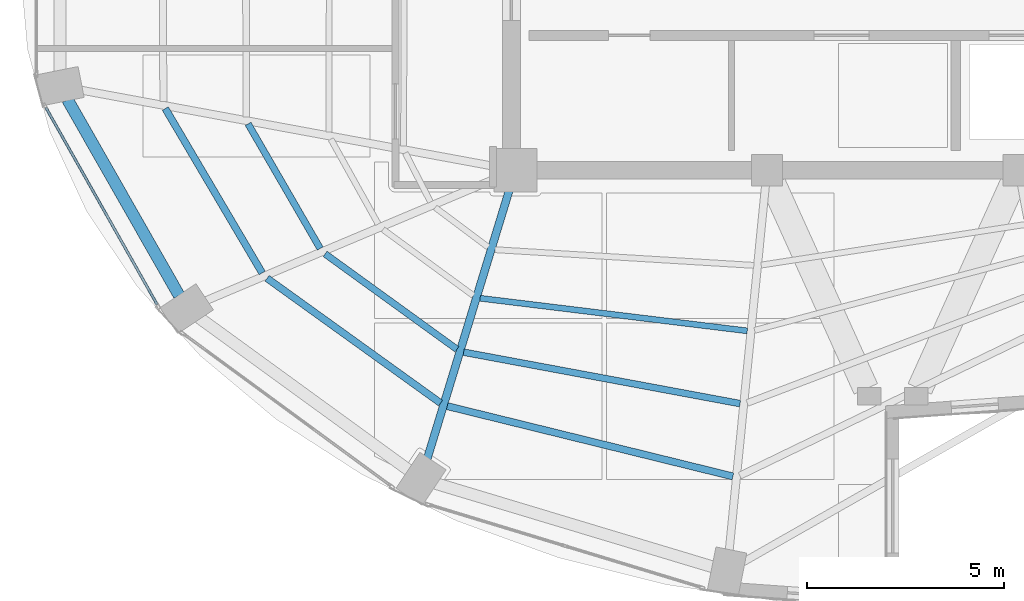
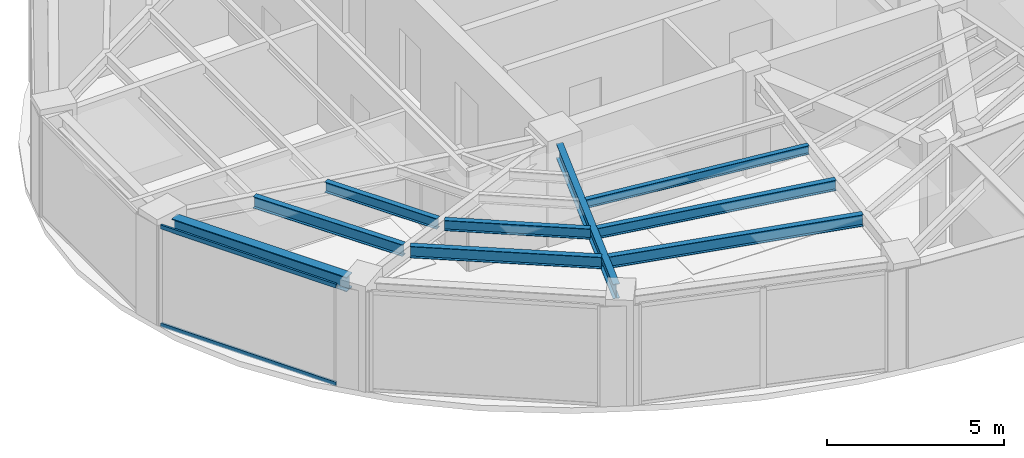
# One storey, part 3 of 23: 9 beams, 2 members, 1 element without a shape of its own.
"""IFC4 building model written with IfcOpenShell, lengths in metres."""

import ifcopenshell
import ifcopenshell.guid

model = None  # the IFC model being written
_history = None  # IfcOwnerHistory: only IFC2X3 demands one
_inside = {}  # id of a spatial element -> (the spatial element, [elements in it])
_under = {}  # id of a project, library or spatial element -> (it, [spatial elements below it])
_declared = {}  # id of a project -> (the project, [libraries it declares])
_typed = {}  # id of a type object -> (the type object, [elements of that type])
_made_of = {}  # id of a material, layer set ... -> (it, [elements and type objects made of it])


def new_model(schema):
    """Start an empty IFC model of exactly this schema.

    Asked for "IFC4X3", IfcOpenShell would pick the latest addendum, in which some entities
    have other attributes; the version numbers below select the first issue.
    IFC2X3 requires an IfcOwnerHistory on every rooted entity: one is made here for all.
    """
    global model, _history
    if schema == "IFC4X3":
        model = ifcopenshell.file(schema_version=(4, 3, 0, 0))
    else:
        model = ifcopenshell.file(schema=schema)
    _inside.clear()
    _under.clear()
    _declared.clear()
    _typed.clear()
    _made_of.clear()
    _history = None
    if model.schema == "IFC2X3":
        org = make("IfcOrganization", Name="unknown")
        user = make(
            "IfcPersonAndOrganization",
            ThePerson=make("IfcPerson", FamilyName="unknown"),
            TheOrganization=org,
        )
        app = make(
            "IfcApplication",
            ApplicationDeveloper=org,
            Version="unknown",
            ApplicationFullName="unknown",
            ApplicationIdentifier="unknown",
        )
        _history = make(
            "IfcOwnerHistory",
            OwningUser=user,
            OwningApplication=app,
            ChangeAction="ADDED",
            CreationDate=0,
        )
    return model


def make(cls, **values):
    """One entity of the class cls with the attributes given. An attribute that is None is left unset."""
    return model.create_entity(
        cls, **{name: value for name, value in values.items() if value is not None}
    )


def rooted(cls, **values):
    """An entity with a GlobalId (a new one), such as an element, a storey or a relation."""
    return make(cls, GlobalId=ifcopenshell.guid.new(), OwnerHistory=_history, **values)


def si_unit(unit_type, name, prefix=None):
    """IfcSIUnit, for example si_unit("LENGTHUNIT", "METRE", prefix="MILLI")."""
    return make("IfcSIUnit", UnitType=unit_type, Prefix=prefix, Name=name)


def assignment(units):
    """IfcUnitAssignment: the units of a project."""
    return None if units is None else make("IfcUnitAssignment", Units=units)


def point(xyz):
    """IfcCartesianPoint."""
    return None if xyz is None else make("IfcCartesianPoint", Coordinates=xyz)


def direction(xyz):
    """IfcDirection."""
    return None if xyz is None else make("IfcDirection", DirectionRatios=xyz)


def frame(location, z_axis=None, x_axis=None):
    """IfcAxis2Placement3D, a coordinate frame: its origin and axes. An axis left out is left unset."""
    return make(
        "IfcAxis2Placement3D",
        Location=point(location),
        Axis=direction(z_axis),
        RefDirection=direction(x_axis),
    )


def frame_2d(location, x_axis=None):
    """IfcAxis2Placement2D, a coordinate frame in the plane: its origin and x axis."""
    return make(
        "IfcAxis2Placement2D", Location=point(location), RefDirection=direction(x_axis)
    )


def origin():
    """The frame at (0, 0, 0) with its axes left unset."""
    return frame((0.0, 0.0, 0.0))


def origin_2d():
    """The frame at (0, 0) in the plane with its x axis left unset."""
    return frame_2d((0.0, 0.0))


def place(relative_to, where):
    """IfcLocalPlacement: puts the frame where relative to a parent placement (None: the world)."""
    return make(
        "IfcLocalPlacement", PlacementRelTo=relative_to, RelativePlacement=where
    )


def context(
    kind, dimensions, precision=None, world=None, true_north=None, identifier=None
):
    """IfcGeometricRepresentationContext, for example the 3D "Model" context."""
    return make(
        "IfcGeometricRepresentationContext",
        ContextIdentifier=identifier,
        ContextType=kind,
        CoordinateSpaceDimension=dimensions,
        Precision=precision,
        WorldCoordinateSystem=world,
        TrueNorth=true_north,
    )


def subcontext(parent, identifier, kind, view, scale=None):
    """IfcGeometricRepresentationSubContext, for example "Body" below "Model"."""
    return make(
        "IfcGeometricRepresentationSubContext",
        ContextIdentifier=identifier,
        ContextType=kind,
        ParentContext=parent,
        TargetScale=scale,
        TargetView=view,
    )


def project(units=None, contexts=None):
    """IfcProject with its units and contexts."""
    return rooted(
        "IfcProject",
        Name="project",
        RepresentationContexts=contexts,
        UnitsInContext=assignment(units),
    )


def spatial(cls, under=None, at=None, **own):
    """A site, building, storey or space (cls), placed at a placement, below another one or the project."""
    s = rooted(cls, ObjectPlacement=at, **own)
    if under is not None:
        _under.setdefault(under.id(), (under, []))[1].append(s)
    return s


def profile(cls, at=None, kind="AREA", **sizes):
    """A parametric profile (cls). Its sizes go by their IFC names, for example OverallWidth=200.0."""
    return make(cls, ProfileType=kind, Position=at, **sizes)


def hollow_rectangle(**sizes):
    """IfcRectangleHollowProfileDef."""
    return profile("IfcRectangleHollowProfileDef", **sizes)


def i_section(**sizes):
    """IfcIShapeProfileDef."""
    return profile("IfcIShapeProfileDef", **sizes)


def extrude(swept, where, along, depth):
    """IfcExtrudedAreaSolid: the profile swept, set in the frame where, extruded along a direction by depth."""
    return make(
        "IfcExtrudedAreaSolid",
        SweptArea=swept,
        Position=where,
        ExtrudedDirection=direction(along),
        Depth=depth,
    )


def shape(context_of_items, identifier, shape_type, items):
    """IfcShapeRepresentation: the items that make up one representation, for example the "Body"."""
    return make(
        "IfcShapeRepresentation",
        ContextOfItems=context_of_items,
        RepresentationIdentifier=identifier,
        RepresentationType=shape_type,
        Items=items,
    )


def material(Name=None, Category=None):
    """IfcMaterial."""
    return make("IfcMaterial", Name=Name, Category=Category)


def layer(
    of_material, thickness, ventilated=None, Name=None, Category=None, Priority=None
):
    """IfcMaterialLayer: one layer of a wall or slab, of a material (None: an air gap)."""
    return make(
        "IfcMaterialLayer",
        Material=of_material,
        LayerThickness=thickness,
        IsVentilated=ventilated,
        Name=Name,
        Category=Category,
        Priority=Priority,
    )


def layer_set(layers, Name=None):
    """IfcMaterialLayerSet."""
    return make("IfcMaterialLayerSet", MaterialLayers=layers, LayerSetName=Name)


def material_profile(
    of_material, cross_section, Name=None, Category=None, Priority=None
):
    """IfcMaterialProfile: a cross section and its material."""
    return make(
        "IfcMaterialProfile",
        Name=Name,
        Material=of_material,
        Profile=cross_section,
        Priority=Priority,
        Category=Category,
    )


def profile_set(profiles, Name=None, composite=None):
    """IfcMaterialProfileSet."""
    return make(
        "IfcMaterialProfileSet",
        Name=Name,
        MaterialProfiles=profiles,
        CompositeProfile=composite,
    )


def made_of(thing, what):
    """Note that an element or type object is made of a material, layer set ...; save() writes the relation."""
    if what is not None:
        _made_of.setdefault(what.id(), (what, []))[1].append(thing)
    return thing


def type_object(cls, material=None, **own):
    """A type object (cls), such as IfcWallType, which elements share."""
    return made_of(rooted(cls, **own), material)


def element(
    cls,
    number,
    at=None,
    inside=None,
    cuts=None,
    type_object=None,
    material=None,
    context=None,
    identifier="Body",
    shape_type=None,
    held_by="IfcProductDefinitionShape",
    body=None,
    shapes=None,
    **own,
):
    """One element of the class cls, such as IfcWall. Its Tag is "e" and its number.

    at: its placement. inside: the storey or other place that contains it. cuts: it is an
    opening in that element (IfcRelVoidsElement). A single representation is given by context,
    identifier, shape_type and body (its items); several are given by shapes. held_by: the class
    of the entity that holds the representations. save() writes the other relations.
    """
    e = rooted(cls, Tag="e%d" % number, ObjectPlacement=at, **own)
    if body is not None:
        shapes = [shape(context, identifier, shape_type, body)]
    if shapes is not None:
        e.Representation = make(held_by, Representations=shapes)
    if inside is not None:
        _inside.setdefault(inside.id(), (inside, []))[1].append(e)
    if cuts is not None:
        rooted(
            "IfcRelVoidsElement", RelatingBuildingElement=cuts, RelatedOpeningElement=e
        )
    if type_object is not None:
        _typed.setdefault(type_object.id(), (type_object, []))[1].append(e)
    return made_of(e, material)


def aggregate(whole, parts):
    """IfcRelAggregates: a whole, such as a stair, and the parts it consists of."""
    return rooted("IfcRelAggregates", RelatingObject=whole, RelatedObjects=parts)


def save(model, path):
    """Write the relations noted so far, then the file.

    IfcRelAggregates (storeys below a building ...), IfcRelContainedInSpatialStructure (elements
    in a storey), IfcRelDefinesByType, IfcRelAssociatesMaterial and IfcRelDeclares: one each for
    every whole, place, type object, material and project.
    """
    for whole, parts in _under.values():
        aggregate(whole, parts)
    for where, things in _inside.values():
        rooted(
            "IfcRelContainedInSpatialStructure",
            RelatedElements=things,
            RelatingStructure=where,
        )
    for kind, things in _typed.values():
        rooted("IfcRelDefinesByType", RelatedObjects=things, RelatingType=kind)
    for what, things in _made_of.values():
        rooted("IfcRelAssociatesMaterial", RelatedObjects=things, RelatingMaterial=what)
    for by, libraries in _declared.values():
        rooted("IfcRelDeclares", RelatingContext=by, RelatedDefinitions=libraries)
    model.write(path)


model = new_model("IFC4")

# Units and contexts
model_context = context("Model", 3, precision=1e-05, world=origin(), true_north=direction((0.0, 1.0)))
body_context = subcontext(model_context, "Body", "Model", "MODEL_VIEW")
ifc_project = project(units=[si_unit("LENGTHUNIT", "METRE"), si_unit("AREAUNIT", "SQUARE_METRE"), si_unit("VOLUMEUNIT", "CUBIC_METRE"), si_unit("PLANEANGLEUNIT", "RADIAN"), si_unit("MASSUNIT", "GRAM", prefix="KILO")], contexts=[model_context])

# Site, building, storey
site_placement = place(None, origin())
site = spatial("IfcSite", under=ifc_project, at=site_placement, CompositionType="ELEMENT")
building_placement = place(site_placement, origin())
building = spatial("IfcBuilding", under=site, at=building_placement, Name="Lazwardi Medical Tower", CompositionType="ELEMENT")
storey_placement = place(building_placement, frame((0.0, 0.0, 231.31201171875)))
storey = spatial("IfcBuildingStorey", under=building, at=storey_placement, Name="L60", CompositionType="ELEMENT", Elevation=231.31201171875)

# Beams
ifc_material_1 = material(Name="Steel S355", Category="steel")
ifc_material_profile_1 = material_profile(ifc_material_1, i_section(OverallWidth=0.300048828125, OverallDepth=0.5, WebThickness=0.014404296875, FlangeThickness=0.028076171875, at=origin_2d()), Name="HEB 500")
ifc_profile_set_1 = profile_set([ifc_material_profile_1], Name="Steel S355")
beam_type_1 = type_object("IfcBeamType", Name="BM-RB-Z4", PredefinedType="BEAM", material=ifc_profile_set_1)
beam_1_placement = place(storey_placement, frame((15.008056640625, 22.1982421875, 3.197998046875), z_axis=(0.495125273299, -0.868821594886, 0.0), x_axis=(0.868821594886, 0.495125273299, 0.0)))
element("IfcBeam", 1, at=beam_1_placement, inside=storey, type_object=beam_type_1, Name="Ring beam RB-05 B13 L60", PredefinedType="BEAM", context=body_context, shape_type="SweptSolid", body=[
    extrude(i_section(OverallWidth=0.300048828125, OverallDepth=0.5, WebThickness=0.014404296875, FlangeThickness=0.028076171875, at=origin_2d()), origin(), (0.0, 0.0, 1.0), 5.734130859375),
])
ifc_material_profile_2 = material_profile(ifc_material_1, i_section(OverallWidth=0.199951171875, OverallDepth=0.5, WebThickness=0.01025390625, FlangeThickness=0.01611328125, at=origin_2d()), Name="IPE 500")
ifc_profile_set_2 = profile_set([ifc_material_profile_2], Name="Steel S355")
beam_type_2 = type_object("IfcBeamType", Name="BM-RG-W3", PredefinedType="BEAM", material=ifc_profile_set_2)
beam_2_placement = place(storey_placement, frame((24.156005859375, 13.0576171875, 3.197998046875), z_axis=(0.292276716539, 0.956333791607, 0.0), x_axis=(-0.956333791607, 0.292276716539, 0.0)))
element("IfcBeam", 2, at=beam_2_placement, inside=storey, type_object=beam_type_2, Name="Radial girder RG-04 R15 L60", PredefinedType="BEAM", context=body_context, shape_type="SweptSolid", body=[
    extrude(i_section(OverallWidth=0.199951171875, OverallDepth=0.5, WebThickness=0.01025390625, FlangeThickness=0.01611328125, at=origin_2d()), origin(), (0.0, 0.0, 1.0), 7.142822265625),
])
ifc_material_profile_3 = material_profile(ifc_material_1, i_section(OverallWidth=0.179931640625, OverallDepth=0.39990234375, WebThickness=0.008544921875, FlangeThickness=0.013427734375, at=origin_2d()), Name="IPE 400")
ifc_profile_set_3 = profile_set([ifc_material_profile_3], Name="Steel S355")
beam_type_3 = type_object("IfcBeamType", Name="BM-SJ-01", PredefinedType="JOIST", material=ifc_profile_set_3)
beam_3_placement = place(storey_placement, frame((17.495849609375, 21.969482421875, 3.248046875), z_axis=(0.507710311367, -0.861527851977, 0.0), x_axis=(0.861527851977, 0.507710311367, 0.0)))
element("IfcBeam", 3, at=beam_3_placement, inside=storey, type_object=beam_type_3, Name="Secondary joist SJ-01 R1 B13 L60", PredefinedType="JOIST", context=body_context, shape_type="SweptSolid", body=[
    extrude(i_section(OverallWidth=0.179931640625, OverallDepth=0.39990234375, WebThickness=0.008544921875, FlangeThickness=0.013427734375, at=origin_2d()), origin(), (0.0, 0.0, 1.0), 4.852783203125),
])
beam_4_placement = place(storey_placement, frame((20.085205078125, 17.651123046875, 3.248046875), z_axis=(0.811889581337, -0.58381102055, 0.0), x_axis=(0.58381102055, 0.811889581337, 0.0)))
element("IfcBeam", 4, at=beam_4_placement, inside=storey, type_object=beam_type_3, Name="Secondary joist SJ-01 R1 B14 L60", PredefinedType="JOIST", context=body_context, shape_type="SweptSolid", body=[
    extrude(i_section(OverallWidth=0.179931640625, OverallDepth=0.39990234375, WebThickness=0.008544921875, FlangeThickness=0.013427734375, at=origin_2d()), origin(), (0.0, 0.0, 1.0), 5.433349609375),
])
beam_5_placement = place(storey_placement, frame((24.665771484375, 14.40087890625, 3.248046875), z_axis=(0.971041669317, -0.238910184904, 0.0), x_axis=(0.238910184904, 0.971041669317, 0.0)))
element("IfcBeam", 5, at=beam_5_placement, inside=storey, type_object=beam_type_3, Name="Secondary joist SJ-01 R1 B15 L60", PredefinedType="JOIST", context=body_context, shape_type="SweptSolid", body=[
    extrude(i_section(OverallWidth=0.179931640625, OverallDepth=0.39990234375, WebThickness=0.008544921875, FlangeThickness=0.013427734375, at=origin_2d()), origin(), (0.0, 0.0, 1.0), 7.482421875),
])
ifc_material_profile_4 = material_profile(ifc_material_1, i_section(OverallWidth=0.169921875, OverallDepth=0.360107421875, WebThickness=0.008056640625, FlangeThickness=0.0126953125, at=origin_2d()), Name="IPE 360")
ifc_profile_set_4 = profile_set([ifc_material_profile_4], Name="Steel S355")
beam_type_4 = type_object("IfcBeamType", Name="BM-SJ-02", PredefinedType="JOIST", material=ifc_profile_set_4)
beam_6_placement = place(storey_placement, frame((19.601806640625, 21.58056640625, 3.26806640625), z_axis=(0.500655179543, -0.865646805109, 0.0), x_axis=(0.865646805109, 0.500655179543, 0.0)))
element("IfcBeam", 6, at=beam_6_placement, inside=storey, type_object=beam_type_4, Name="Secondary joist SJ-02 R2 B13 L60", PredefinedType="JOIST", context=body_context, shape_type="SweptSolid", body=[
    extrude(i_section(OverallWidth=0.169921875, OverallDepth=0.360107421875, WebThickness=0.008056640625, FlangeThickness=0.0126953125, at=origin_2d()), origin(), (0.0, 0.0, 1.0), 3.662109375),
])
beam_7_placement = place(storey_placement, frame((21.559814453125, 18.2724609375, 3.26806640625), z_axis=(0.810164229155, -0.586202969796, 0.0), x_axis=(0.586202969796, 0.810164229155, 0.0)))
element("IfcBeam", 7, at=beam_7_placement, inside=storey, type_object=beam_type_4, Name="Secondary joist SJ-02 R2 B14 L60", PredefinedType="JOIST", context=body_context, shape_type="SweptSolid", body=[
    extrude(i_section(OverallWidth=0.169921875, OverallDepth=0.360107421875, WebThickness=0.008056640625, FlangeThickness=0.0126953125, at=origin_2d()), origin(), (0.0, 0.0, 1.0), 4.14013671875),
])
beam_8_placement = place(storey_placement, frame((25.08447265625, 15.7724609375, 3.26806640625), z_axis=(0.983132476587, -0.182894870019, 0.0), x_axis=(0.182894870019, 0.983132476587, 0.0)))
element("IfcBeam", 8, at=beam_8_placement, inside=storey, type_object=beam_type_4, Name="Secondary joist SJ-02 R2 B15 L60", PredefinedType="JOIST", context=body_context, shape_type="SweptSolid", body=[
    extrude(i_section(OverallWidth=0.169921875, OverallDepth=0.360107421875, WebThickness=0.008056640625, FlangeThickness=0.0126953125, at=origin_2d()), origin(), (0.0, 0.0, 1.0), 7.15087890625),
])
ifc_material_profile_5 = material_profile(ifc_material_1, i_section(OverallWidth=0.14990234375, OverallDepth=0.300048828125, WebThickness=0.007080078125, FlangeThickness=0.0107421875, at=origin_2d()), Name="IPE 300")
ifc_profile_set_5 = profile_set([ifc_material_profile_5], Name="Steel S355")
beam_type_5 = type_object("IfcBeamType", Name="BM-SJ-03", PredefinedType="JOIST", material=ifc_profile_set_5)
beam_9_placement = place(storey_placement, frame((25.5029296875, 17.14453125, 3.298095703125), z_axis=(0.992634689535, -0.121146081783, 0.0), x_axis=(0.121146081783, 0.992634689535, 0.0)))
element("IfcBeam", 9, at=beam_9_placement, inside=storey, type_object=beam_type_5, Name="Secondary joist SJ-03 R3 B15 L60", PredefinedType="JOIST", context=body_context, shape_type="SweptSolid", body=[
    extrude(i_section(OverallWidth=0.14990234375, OverallDepth=0.300048828125, WebThickness=0.007080078125, FlangeThickness=0.0107421875, at=origin_2d()), origin(), (0.0, 0.0, 1.0), 6.845947265625),
])

# Curtain wall, members
ifc_material_2 = material(Name="Anodised bronze aluminium and solar control glazing", Category="aluminium")
ifc_layer = layer(ifc_material_2, 0.18994140625)
ifc_layer_set = layer_set([ifc_layer], Name="Anodised bronze aluminium and solar control glazing")
curtain_wall_type = type_object("IfcCurtainWallType", Name="CW-SYS-04", PredefinedType="NOTDEFINED", material=ifc_layer_set)
curtain_wall_placement = place(storey_placement, origin())
curtain_wall = element("IfcCurtainWall", 10, at=curtain_wall_placement, inside=storey, type_object=curtain_wall_type, Name="L60 Unitised bronze curtain wall CW-04", PredefinedType="NOTDEFINED")
ifc_material_3 = material(Name="Anodised bronze aluminium", Category="aluminium")
ifc_material_profile_6 = material_profile(ifc_material_3, hollow_rectangle(XDim=0.06494140625, YDim=0.139892578125, WallThickness=0.00341796875, at=origin_2d()), Name="ALU-TRANSOM 140x65x3.5")
ifc_profile_set_6 = profile_set([ifc_material_profile_6], Name="Anodised bronze aluminium")
member_type = type_object("IfcMemberType", Name="CW-TRN-03", PredefinedType="USERDEFINED", material=ifc_profile_set_6)
member_1_placement = place(storey_placement, frame((14.458740234375, 21.993408203125, 0.032470703125), z_axis=(0.491897887635, -0.870652897623, 0.0), x_axis=(0.870652897623, 0.491897887635, 0.0)))
member_1 = element("IfcMember", 11, at=member_1_placement, type_object=member_type, Name="CW-04 transom 1.1", ObjectType="TRANSOM", PredefinedType="USERDEFINED", context=body_context, shape_type="SweptSolid", body=[
    extrude(hollow_rectangle(XDim=0.06494140625, YDim=0.139892578125, WallThickness=0.00341796875, at=origin_2d()), origin(), (0.0, 0.0, 1.0), 5.7548828125),
])
member_2_placement = place(storey_placement, frame((14.458740234375, 21.993408203125, 3.41552734375), z_axis=(0.491897887635, -0.870652897623, 0.0), x_axis=(0.870652897623, 0.491897887635, 0.0)))
member_2 = element("IfcMember", 12, at=member_2_placement, type_object=member_type, Name="CW-04 transom 1.2", ObjectType="TRANSOM", PredefinedType="USERDEFINED", context=body_context, shape_type="SweptSolid", body=[
    extrude(hollow_rectangle(XDim=0.06494140625, YDim=0.139892578125, WallThickness=0.00341796875, at=origin_2d()), origin(), (0.0, 0.0, 1.0), 5.7548828125),
])
aggregate(curtain_wall, [member_1, member_2])

save(model, "model.ifc")
